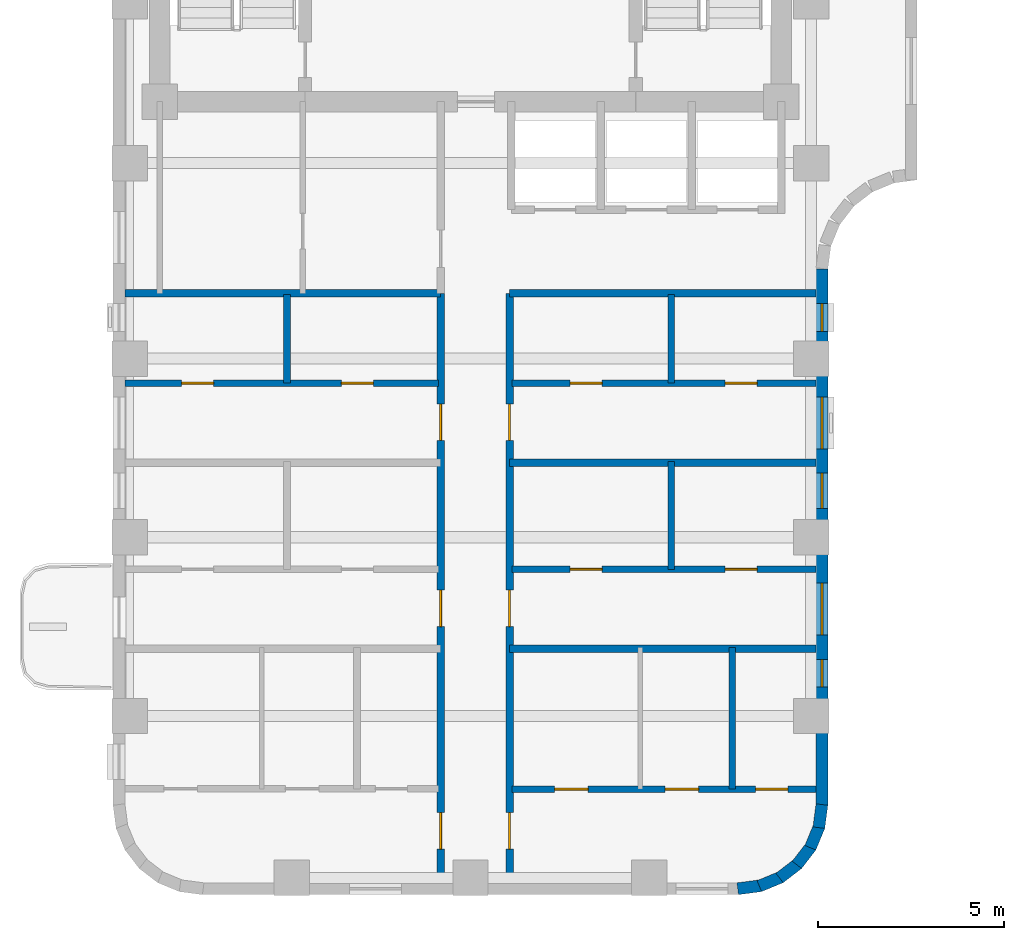
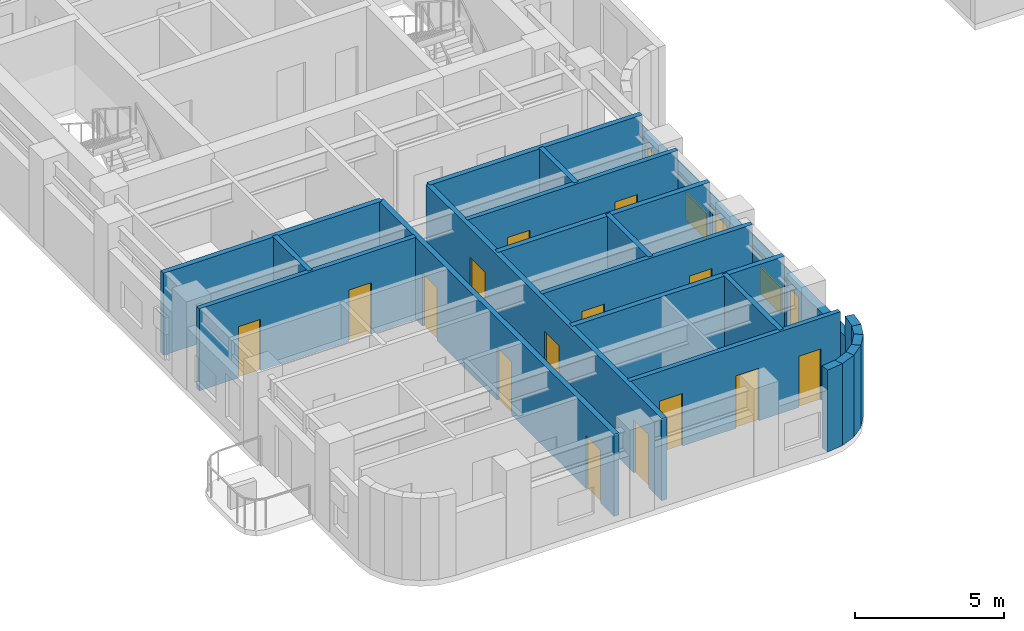
# One storey, part 4 of 11: 21 walls, 15 doors, 5 windows, 20 openings.
"""IFC4 building model written with IfcOpenShell, lengths in metres."""

from ifc_helpers import new_model, si_unit, direction, frame, frame_2d, origin, place, context, subcontext, project, spatial, rectangle, extrude, material, layer, layer_set, type_object, element, fill, save


model = new_model("IFC4")

# Units and contexts
model_context = context("Model", 3, precision=1e-05, world=origin(), true_north=direction((0.0, 1.0)))
body_context = subcontext(model_context, "Body", "Model", "MODEL_VIEW")
ifc_project = project(units=[si_unit("LENGTHUNIT", "METRE"), si_unit("AREAUNIT", "SQUARE_METRE"), si_unit("VOLUMEUNIT", "CUBIC_METRE"), si_unit("PLANEANGLEUNIT", "RADIAN"), si_unit("MASSUNIT", "GRAM", prefix="KILO")], contexts=[model_context])

# Site, building, storey
site_placement = place(None, origin())
site = spatial("IfcSite", under=ifc_project, at=site_placement, CompositionType="ELEMENT")
building_placement = place(site_placement, origin())
building = spatial("IfcBuilding", under=site, at=building_placement, Name="Orvandelia Arch Residences", CompositionType="ELEMENT")
storey_placement = place(building_placement, frame((0.0, 0.0, 168.39990234375)))
storey = spatial("IfcBuildingStorey", under=building, at=storey_placement, Name="L44", CompositionType="ELEMENT", Elevation=168.39990234375)

# Wall, openings, doors
ifc_material_1 = material(Name="Fire-Rated Corridor Partition")
ifc_layer_1 = layer(ifc_material_1, 0.199951171875, Name="Fire-Rated Corridor Partition")
ifc_layer_set_1 = layer_set([ifc_layer_1], Name="Fire-Rated Corridor Partition")
wall_type_1 = type_object("IfcWallType", Name="WL-CORR-200", PredefinedType="PARTITIONING", material=ifc_layer_set_1)
wall_1_placement = place(storey_placement, frame((13.60009765625, 9.919921875, 0.0), z_axis=(0.0, 0.0, 1.0), x_axis=(0.0, 1.0, 0.0)))
wall_1 = element("IfcWall", 1, at=wall_1_placement, inside=storey, type_object=wall_type_1, Name="Interior Partition Wall WL-L44-WC-W", PredefinedType="PARTITIONING", context=body_context, shape_type="SweptSolid", body=[
    extrude(rectangle(XDim=15.830078125, YDim=0.199951171875, at=frame_2d((7.9150390625, 0.0))), origin(), (0.0, 0.0, 1.0), 3.360107421875),
])
opening_1_placement = place(wall_1_placement, frame((0.902099609375, 0.0, 0.0)))
opening_1 = element("IfcOpeningElement", 2, at=opening_1_placement, cuts=wall_1, Name="Opening D1", PredefinedType="OPENING", context=body_context, shape_type="SweptSolid", body=[
    extrude(rectangle(XDim=0.97998046875, YDim=2.179931640625, at=frame_2d((0.489990234375, 1.08984375))), frame((0.0, 0.10986328125, 0.0), z_axis=(0.0, -1.0, 0.0), x_axis=(1.0, 0.0, 0.0)), (0.0, 0.0, 1.0), 0.219970703125),
])
opening_2_placement = place(wall_1_placement, frame((6.8798828125, 0.0, 0.0)))
opening_2 = element("IfcOpeningElement", 3, at=opening_2_placement, cuts=wall_1, Name="Opening D1", PredefinedType="OPENING", context=body_context, shape_type="SweptSolid", body=[
    extrude(rectangle(XDim=0.97998046875, YDim=2.179931640625, at=frame_2d((0.489990234375, 1.08984375))), frame((0.0, 0.10986328125, 0.0), z_axis=(0.0, -1.0, 0.0), x_axis=(1.0, 0.0, 0.0)), (0.0, 0.0, 1.0), 0.219970703125),
])
opening_3_placement = place(wall_1_placement, frame((11.8798828125, 0.0, 0.0)))
opening_3 = element("IfcOpeningElement", 4, at=opening_3_placement, cuts=wall_1, Name="Opening D1", PredefinedType="OPENING", context=body_context, shape_type="SweptSolid", body=[
    extrude(rectangle(XDim=0.97998046875, YDim=2.179931640625, at=frame_2d((0.489990234375, 1.08984375))), frame((0.0, 0.10986328125, 0.0), z_axis=(0.0, -1.0, 0.0), x_axis=(1.0, 0.0, 0.0)), (0.0, 0.0, 1.0), 0.219970703125),
])
ifc_material_2 = material(Name="Solid-Core Timber Acoustic Fire Door", Category="wood")
door_type_1 = type_object("IfcDoorType", Name="DR-ENT-980", OperationType="NOTDEFINED", PredefinedType="DOOR", material=ifc_material_2)
door_1_placement = place(opening_1_placement, origin())
door_1 = element("IfcDoor", 5, at=door_1_placement, inside=storey, type_object=door_type_1, Name="Unit L44-01 Entrance Door", OperationType="SINGLE_SWING_LEFT", OverallHeight=2.179931640625, OverallWidth=0.97998046875, PredefinedType="DOOR", context=body_context, shape_type="SweptSolid", body=[
    extrude(rectangle(XDim=0.97998046875, YDim=2.179931640625, at=frame_2d((0.489990234375, 1.08984375))), frame((0.0, 0.02490234375, 0.0), z_axis=(0.0, -1.0, 0.0), x_axis=(1.0, 0.0, 0.0)), (0.0, 0.0, 1.0), 0.050048828125),
])
fill(opening_1, door_1)
door_2_placement = place(opening_2_placement, origin())
door_2 = element("IfcDoor", 6, at=door_2_placement, inside=storey, type_object=door_type_1, Name="Unit L44-02 Entrance Door", OperationType="SINGLE_SWING_RIGHT", OverallHeight=2.179931640625, OverallWidth=0.97998046875, PredefinedType="DOOR", context=body_context, shape_type="SweptSolid", body=[
    extrude(rectangle(XDim=0.97998046875, YDim=2.179931640625, at=frame_2d((0.489990234375, 1.08984375))), frame((0.0, 0.02490234375, 0.0), z_axis=(0.0, -1.0, 0.0), x_axis=(1.0, 0.0, 0.0)), (0.0, 0.0, 1.0), 0.050048828125),
])
fill(opening_2, door_2)
door_3_placement = place(opening_3_placement, origin())
door_3 = element("IfcDoor", 7, at=door_3_placement, inside=storey, type_object=door_type_1, Name="Unit L44-03 Entrance Door", OperationType="SINGLE_SWING_LEFT", OverallHeight=2.179931640625, OverallWidth=0.97998046875, PredefinedType="DOOR", context=body_context, shape_type="SweptSolid", body=[
    extrude(rectangle(XDim=0.97998046875, YDim=2.179931640625, at=frame_2d((0.489990234375, 1.08984375))), frame((0.0, 0.02490234375, 0.0), z_axis=(0.0, -1.0, 0.0), x_axis=(1.0, 0.0, 0.0)), (0.0, 0.0, 1.0), 0.050048828125),
])
fill(opening_3, door_3)

wall_2_placement = place(storey_placement, frame((15.449951171875, 9.919921875, 0.0), z_axis=(0.0, 0.0, 1.0), x_axis=(0.0, 1.0, 0.0)))
wall_2 = element("IfcWall", 8, at=wall_2_placement, inside=storey, type_object=wall_type_1, Name="Interior Partition Wall WL-L44-WC-E", PredefinedType="PARTITIONING", context=body_context, shape_type="SweptSolid", body=[
    extrude(rectangle(XDim=15.830078125, YDim=0.199951171875, at=frame_2d((7.9150390625, 0.0))), origin(), (0.0, 0.0, 1.0), 3.360107421875),
])
opening_4_placement = place(wall_2_placement, frame((0.902099609375, 0.0, 0.0)))
opening_4 = element("IfcOpeningElement", 9, at=opening_4_placement, cuts=wall_2, Name="Opening D1", PredefinedType="OPENING", context=body_context, shape_type="SweptSolid", body=[
    extrude(rectangle(XDim=0.97998046875, YDim=2.179931640625, at=frame_2d((0.489990234375, 1.08984375))), frame((0.0, 0.10986328125, 0.0), z_axis=(0.0, -1.0, 0.0), x_axis=(1.0, 0.0, 0.0)), (0.0, 0.0, 1.0), 0.219970703125),
])
opening_5_placement = place(wall_2_placement, frame((6.8798828125, 0.0, 0.0)))
opening_5 = element("IfcOpeningElement", 10, at=opening_5_placement, cuts=wall_2, Name="Opening D1", PredefinedType="OPENING", context=body_context, shape_type="SweptSolid", body=[
    extrude(rectangle(XDim=0.97998046875, YDim=2.179931640625, at=frame_2d((0.489990234375, 1.08984375))), frame((0.0, 0.10986328125, 0.0), z_axis=(0.0, -1.0, 0.0), x_axis=(1.0, 0.0, 0.0)), (0.0, 0.0, 1.0), 0.219970703125),
])
opening_6_placement = place(wall_2_placement, frame((11.8798828125, 0.0, 0.0)))
opening_6 = element("IfcOpeningElement", 11, at=opening_6_placement, cuts=wall_2, Name="Opening D1", PredefinedType="OPENING", context=body_context, shape_type="SweptSolid", body=[
    extrude(rectangle(XDim=0.97998046875, YDim=2.179931640625, at=frame_2d((0.489990234375, 1.08984375))), frame((0.0, 0.10986328125, 0.0), z_axis=(0.0, -1.0, 0.0), x_axis=(1.0, 0.0, 0.0)), (0.0, 0.0, 1.0), 0.219970703125),
])
door_4_placement = place(opening_4_placement, origin())
door_4 = element("IfcDoor", 12, at=door_4_placement, inside=storey, type_object=door_type_1, Name="Unit L44-04 Entrance Door", OperationType="SINGLE_SWING_RIGHT", OverallHeight=2.179931640625, OverallWidth=0.97998046875, PredefinedType="DOOR", context=body_context, shape_type="SweptSolid", body=[
    extrude(rectangle(XDim=0.97998046875, YDim=2.179931640625, at=frame_2d((0.489990234375, 1.08984375))), frame((0.0, 0.02490234375, 0.0), z_axis=(0.0, -1.0, 0.0), x_axis=(1.0, 0.0, 0.0)), (0.0, 0.0, 1.0), 0.050048828125),
])
fill(opening_4, door_4)
door_5_placement = place(opening_5_placement, origin())
door_5 = element("IfcDoor", 13, at=door_5_placement, inside=storey, type_object=door_type_1, Name="Unit L44-05 Entrance Door", OperationType="SINGLE_SWING_LEFT", OverallHeight=2.179931640625, OverallWidth=0.97998046875, PredefinedType="DOOR", context=body_context, shape_type="SweptSolid", body=[
    extrude(rectangle(XDim=0.97998046875, YDim=2.179931640625, at=frame_2d((0.489990234375, 1.08984375))), frame((0.0, 0.02490234375, 0.0), z_axis=(0.0, -1.0, 0.0), x_axis=(1.0, 0.0, 0.0)), (0.0, 0.0, 1.0), 0.050048828125),
])
fill(opening_5, door_5)
door_6_placement = place(opening_6_placement, origin())
door_6 = element("IfcDoor", 14, at=door_6_placement, inside=storey, type_object=door_type_1, Name="Unit L44-06 Entrance Door", OperationType="SINGLE_SWING_RIGHT", OverallHeight=2.179931640625, OverallWidth=0.97998046875, PredefinedType="DOOR", context=body_context, shape_type="SweptSolid", body=[
    extrude(rectangle(XDim=0.97998046875, YDim=2.179931640625, at=frame_2d((0.489990234375, 1.08984375))), frame((0.0, 0.02490234375, 0.0), z_axis=(0.0, -1.0, 0.0), x_axis=(1.0, 0.0, 0.0)), (0.0, 0.0, 1.0), 0.050048828125),
])
fill(opening_6, door_6)

# Walls
wall_3_placement = place(storey_placement, frame((5.1201171875, 25.75, 0.0), z_axis=(0.0, 0.0, 1.0), x_axis=(1.0, 0.0, 0.0)))
element("IfcWall", 15, at=wall_3_placement, inside=storey, type_object=wall_type_1, Name="Interior Partition Wall WL-L44-WCLS-W", PredefinedType="PARTITIONING", context=body_context, shape_type="SweptSolid", body=[
    extrude(rectangle(XDim=8.47998046875, YDim=0.199951171875, at=frame_2d((4.239990234375, 0.0))), origin(), (0.0, 0.0, 1.0), 3.360107421875),
])
wall_4_placement = place(storey_placement, frame((15.449951171875, 25.75, 0.0), z_axis=(0.0, 0.0, 1.0), x_axis=(1.0, 0.0, 0.0)))
element("IfcWall", 16, at=wall_4_placement, inside=storey, type_object=wall_type_1, Name="Interior Partition Wall WL-L44-WCLS-E", PredefinedType="PARTITIONING", context=body_context, shape_type="SweptSolid", body=[
    extrude(rectangle(XDim=8.22998046875, YDim=0.199951171875, at=frame_2d((4.114990234375, 0.0))), origin(), (0.0, 0.0, 1.0), 3.360107421875),
])
ifc_material_3 = material(Name="Concrete C40/50", Category="concrete")
ifc_layer_2 = layer(ifc_material_3, 0.199951171875, Name="Concrete C40/50", Category="concrete")
ifc_layer_set_2 = layer_set([ifc_layer_2], Name="Concrete C40/50")
wall_type_2 = type_object("IfcWallType", Name="WL-DEM-200", PredefinedType="SOLIDWALL", material=ifc_layer_set_2)
for number, where, z_axis, x_axis, name in (
    (17, (15.449951171875, 16.199951171875, 0.0), (0.0, 0.0, 1.0), (1.0, 0.0, 0.0), "Interior Partition Wall WL-L44-DEM-WR-162"),
    (18, (15.449951171875, 21.199951171875, 0.0), (0.0, 0.0, 1.0), (1.0, 0.0, 0.0), "Interior Partition Wall WL-L44-DEM-WR-212"),
):
    element("IfcWall", number, at=place(storey_placement, frame(where, z_axis=z_axis, x_axis=x_axis)), inside=storey, type_object=wall_type_2, Name=name, PredefinedType="SOLIDWALL", context=body_context, shape_type="SweptSolid", body=[
        extrude(rectangle(XDim=8.22998046875, YDim=0.199951171875, at=frame_2d((4.114990234375, 0.0))), origin(), (0.0, 0.0, 1.0), 3.360107421875),
    ])

# Wall, openings, windows
ifc_material_4 = material(Name="Precast concrete C40/50", Category="concrete")
ifc_layer_3 = layer(ifc_material_4, 0.320068359375, Name="Precast concrete C40/50", Category="concrete")
ifc_layer_set_3 = layer_set([ifc_layer_3], Name="Precast concrete C40/50")
wall_type_3 = type_object("IfcWallType", Name="WL-EXT-STONE-320", PredefinedType="STANDARD", material=ifc_layer_set_3)
wall_5_placement = place(storey_placement, frame((23.840087890625, 26.39990234375, 0.0), z_axis=(0.0, 0.0, 1.0), x_axis=(0.0, -1.0, 0.0)))
wall_5 = element("IfcWall", 19, at=wall_5_placement, inside=storey, type_object=wall_type_3, Name="Coral-Limestone Precast Facade Wall L44-032", PredefinedType="STANDARD", context=body_context, shape_type="SweptSolid", body=[
    extrude(rectangle(XDim=14.39990234375, YDim=0.320068359375, at=frame_2d((7.199951171875, 0.0))), origin(), (0.0, 0.0, 1.0), 2.5400390625),
])
opening_7_placement = place(wall_5_placement, frame((8.429931640625, 0.0, 0.64990234375)))
opening_7 = element("IfcOpeningElement", 20, at=opening_7_placement, cuts=wall_5, Name="Opening W10", PredefinedType="OPENING", context=body_context, shape_type="SweptSolid", body=[
    extrude(rectangle(XDim=1.39990234375, YDim=1.10009765625, at=frame_2d((0.699951171875, 0.550048828125))), frame((0.0, 0.169921875, 0.0), z_axis=(0.0, -1.0, 0.0), x_axis=(1.0, 0.0, 0.0)), (0.0, 0.0, 1.0), 0.340087890625),
])
opening_8_placement = place(wall_5_placement, frame((3.429931640625, 0.0, 0.64990234375)))
opening_8 = element("IfcOpeningElement", 21, at=opening_8_placement, cuts=wall_5, Name="Opening W10", PredefinedType="OPENING", context=body_context, shape_type="SweptSolid", body=[
    extrude(rectangle(XDim=1.39990234375, YDim=1.10009765625, at=frame_2d((0.699951171875, 0.550048828125))), frame((0.0, 0.169921875, 0.0), z_axis=(0.0, -1.0, 0.0), x_axis=(1.0, 0.0, 0.0)), (0.0, 0.0, 1.0), 0.340087890625),
])
opening_9_placement = place(wall_5_placement, frame((10.4775390625, 0.0, 0.449951171875)))
opening_9 = element("IfcOpeningElement", 22, at=opening_9_placement, cuts=wall_5, Name="Opening W11", PredefinedType="OPENING", context=body_context, shape_type="SweptSolid", body=[
    extrude(rectangle(XDim=0.75, YDim=1.800048828125, at=frame_2d((0.375, 0.89990234375))), frame((0.0, 0.169921875, 0.0), z_axis=(0.0, -1.0, 0.0), x_axis=(1.0, 0.0, 0.0)), (0.0, 0.0, 1.0), 0.340087890625),
])
opening_10_placement = place(wall_5_placement, frame((5.4775390625, 0.0, 0.449951171875)))
opening_10 = element("IfcOpeningElement", 23, at=opening_10_placement, cuts=wall_5, Name="Opening W4", PredefinedType="OPENING", context=body_context, shape_type="SweptSolid", body=[
    extrude(rectangle(XDim=0.949951171875, YDim=1.800048828125, at=frame_2d((0.47509765625, 0.89990234375))), frame((0.0, 0.169921875, 0.0), z_axis=(0.0, -1.0, 0.0), x_axis=(1.0, 0.0, 0.0)), (0.0, 0.0, 1.0), 0.340087890625),
])
opening_11_placement = place(wall_5_placement, frame((0.91748046875, 0.0, 0.449951171875)))
opening_11 = element("IfcOpeningElement", 24, at=opening_11_placement, cuts=wall_5, Name="Opening W11", PredefinedType="OPENING", context=body_context, shape_type="SweptSolid", body=[
    extrude(rectangle(XDim=0.75, YDim=1.800048828125, at=frame_2d((0.375, 0.89990234375))), frame((0.0, 0.169921875, 0.0), z_axis=(0.0, -1.0, 0.0), x_axis=(1.0, 0.0, 0.0)), (0.0, 0.0, 1.0), 0.340087890625),
])
ifc_material_5 = material(Name="Tempered Low-E Insulated Glazing", Category="glass")
window_type_1 = type_object("IfcWindowType", Name="WIN-BED-0750x1800", PartitioningType="SINGLE_PANEL", PredefinedType="WINDOW", material=ifc_material_5)
window_1_placement = place(opening_9_placement, origin())
window_1 = element("IfcWindow", 25, at=window_1_placement, inside=storey, type_object=window_type_1, Name="Recessed Punched Window L44-019", OverallHeight=1.800048828125, OverallWidth=0.75, PartitioningType="SINGLE_PANEL", PredefinedType="WINDOW", context=body_context, shape_type="SweptSolid", body=[
    extrude(rectangle(XDim=0.75, YDim=1.800048828125, at=frame_2d((0.375, 0.89990234375))), frame((0.0, 0.030029296875, 0.0), z_axis=(0.0, -1.0, 0.0), x_axis=(1.0, 0.0, 0.0)), (0.0, 0.0, 1.0), 0.06005859375),
])
fill(opening_9, window_1)
window_2_placement = place(opening_11_placement, origin())
window_2 = element("IfcWindow", 26, at=window_2_placement, inside=storey, type_object=window_type_1, Name="Recessed Punched Window L44-021", OverallHeight=1.800048828125, OverallWidth=0.75, PartitioningType="SINGLE_PANEL", PredefinedType="WINDOW", context=body_context, shape_type="SweptSolid", body=[
    extrude(rectangle(XDim=0.75, YDim=1.800048828125, at=frame_2d((0.375, 0.89990234375))), frame((0.0, 0.030029296875, 0.0), z_axis=(0.0, -1.0, 0.0), x_axis=(1.0, 0.0, 0.0)), (0.0, 0.0, 1.0), 0.06005859375),
])
fill(opening_11, window_2)
window_type_2 = type_object("IfcWindowType", Name="WIN-CLR-1400x1100", PartitioningType="SINGLE_PANEL", PredefinedType="WINDOW", material=ifc_material_5)
window_3_placement = place(opening_7_placement, origin())
window_3 = element("IfcWindow", 27, at=window_3_placement, inside=storey, type_object=window_type_2, Name="Recessed Punched Window L44-017", OverallHeight=1.10009765625, OverallWidth=1.39990234375, PartitioningType="SINGLE_PANEL", PredefinedType="WINDOW", context=body_context, shape_type="SweptSolid", body=[
    extrude(rectangle(XDim=1.39990234375, YDim=1.10009765625, at=frame_2d((0.699951171875, 0.550048828125))), frame((0.0, 0.030029296875, 0.0), z_axis=(0.0, -1.0, 0.0), x_axis=(1.0, 0.0, 0.0)), (0.0, 0.0, 1.0), 0.06005859375),
])
fill(opening_7, window_3)
window_4_placement = place(opening_8_placement, origin())
window_4 = element("IfcWindow", 28, at=window_4_placement, inside=storey, type_object=window_type_2, Name="Recessed Punched Window L44-018", OverallHeight=1.10009765625, OverallWidth=1.39990234375, PartitioningType="SINGLE_PANEL", PredefinedType="WINDOW", context=body_context, shape_type="SweptSolid", body=[
    extrude(rectangle(XDim=1.39990234375, YDim=1.10009765625, at=frame_2d((0.699951171875, 0.550048828125))), frame((0.0, 0.030029296875, 0.0), z_axis=(0.0, -1.0, 0.0), x_axis=(1.0, 0.0, 0.0)), (0.0, 0.0, 1.0), 0.06005859375),
])
fill(opening_8, window_4)
window_type_3 = type_object("IfcWindowType", Name="WIN-RES-0950x1800", PartitioningType="SINGLE_PANEL", PredefinedType="WINDOW", material=ifc_material_5)
window_5_placement = place(opening_10_placement, origin())
window_5 = element("IfcWindow", 29, at=window_5_placement, inside=storey, type_object=window_type_3, Name="Recessed Punched Window L44-020", OverallHeight=1.800048828125, OverallWidth=0.949951171875, PartitioningType="SINGLE_PANEL", PredefinedType="WINDOW", context=body_context, shape_type="SweptSolid", body=[
    extrude(rectangle(XDim=0.949951171875, YDim=1.800048828125, at=frame_2d((0.47509765625, 0.89990234375))), frame((0.0, 0.030029296875, 0.0), z_axis=(0.0, -1.0, 0.0), x_axis=(1.0, 0.0, 0.0)), (0.0, 0.0, 1.0), 0.06005859375),
])
fill(opening_10, window_5)

# Walls
wall_6_placement = place(storey_placement, frame((23.84130859375, 12.02099609375, 0.0), z_axis=(0.0, 0.0, 1.0), x_axis=(-0.130504898859, -0.991447664465, 0.0)))
element("IfcWall", 30, at=wall_6_placement, inside=storey, type_object=wall_type_3, Name="Coral-Limestone Precast Facade Wall L44-033", PredefinedType="STANDARD", context=body_context, shape_type="SweptSolid", body=[
    extrude(rectangle(XDim=0.626708984375, YDim=0.320068359375, at=frame_2d((0.3134765625, 0.0))), origin(), (0.0, 0.0, 1.0), 3.360107421875),
])
for number, where, z_axis, x_axis, name in (
    (31, (23.7705078125, 11.43994140625, 0.0), (0.0, 0.0, 1.0), (-0.382650053678, -0.92389335771, 0.0), "Coral-Limestone Precast Facade Wall L44-034"),
    (32, (23.551513671875, 10.8974609375, 0.0), (0.0, 0.0, 1.0), (-0.608693302629, -0.793405610854, 0.0), "Coral-Limestone Precast Facade Wall L44-035"),
    (33, (23.19970703125, 10.4296875, 0.0), (0.0, 0.0, 1.0), (-0.793405610854, -0.608693302629, 0.0), "Coral-Limestone Precast Facade Wall L44-036"),
    (34, (22.73876953125, 10.0693359375, 0.0), (0.0, 0.0, 1.0), (-0.92389335771, -0.382650053678, 0.0), "Coral-Limestone Precast Facade Wall L44-037"),
    (35, (22.2001953125, 9.84033203125, 0.0), (0.0, 0.0, 1.0), (-0.9914410257, -0.130555323746, 0.0), "Coral-Limestone Precast Facade Wall L44-038"),
):
    element("IfcWall", number, at=place(storey_placement, frame(where, z_axis=z_axis, x_axis=x_axis)), inside=storey, type_object=wall_type_3, Name=name, PredefinedType="STANDARD", context=body_context, shape_type="SweptSolid", body=[
        extrude(rectangle(XDim=0.62646484375, YDim=0.320068359375, at=frame_2d((0.313232421875, 0.0))), origin(), (0.0, 0.0, 1.0), 3.360107421875),
    ])

# Wall, openings, doors
ifc_material_6 = material(Name="Moisture-Resistant Plumbing Wall")
ifc_layer_4 = layer(ifc_material_6, 0.179931640625, Name="Moisture-Resistant Plumbing Wall")
ifc_layer_set_4 = layer_set([ifc_layer_4], Name="Moisture-Resistant Plumbing Wall")
wall_type_4 = type_object("IfcWallType", Name="WL-WET-180", PredefinedType="PLUMBINGWALL", material=ifc_layer_set_4)
wall_7_placement = place(storey_placement, frame((5.1201171875, 23.340087890625, 0.0), z_axis=(0.0, 0.0, 1.0), x_axis=(1.0, 0.0, 0.0)))
wall_7 = element("IfcWall", 36, at=wall_7_placement, inside=storey, type_object=wall_type_4, Name="Interior Partition Wall WL-L44-U03-HZ", PredefinedType="PLUMBINGWALL", context=body_context, shape_type="SweptSolid", body=[
    extrude(rectangle(XDim=8.419921875, YDim=0.179931640625, at=frame_2d((4.2099609375, 0.0))), origin(), (0.0, 0.0, 1.0), 3.360107421875),
])
opening_12_placement = place(wall_7_placement, frame((1.52001953125, 0.0, 0.0)))
opening_12 = element("IfcOpeningElement", 37, at=opening_12_placement, cuts=wall_7, Name="Opening D4", PredefinedType="OPENING", context=body_context, shape_type="SweptSolid", body=[
    extrude(rectangle(XDim=0.860107421875, YDim=2.10009765625, at=frame_2d((0.43017578125, 1.050048828125))), frame((0.0, 0.10009765625, 0.0), z_axis=(0.0, -1.0, 0.0), x_axis=(1.0, 0.0, 0.0)), (0.0, 0.0, 1.0), 0.199951171875),
])
opening_13_placement = place(wall_7_placement, frame((5.81005859375, 0.0, 0.0)))
opening_13 = element("IfcOpeningElement", 38, at=opening_13_placement, cuts=wall_7, Name="Opening D4", PredefinedType="OPENING", context=body_context, shape_type="SweptSolid", body=[
    extrude(rectangle(XDim=0.860107421875, YDim=2.10009765625, at=frame_2d((0.43017578125, 1.050048828125))), frame((0.0, 0.10009765625, 0.0), z_axis=(0.0, -1.0, 0.0), x_axis=(1.0, 0.0, 0.0)), (0.0, 0.0, 1.0), 0.199951171875),
])
ifc_material_7 = material(Name="Moisture-Sealed Timber Bathroom Door", Category="wood")
door_type_2 = type_object("IfcDoorType", Name="DR-WET-900", OperationType="NOTDEFINED", PredefinedType="DOOR", material=ifc_material_7)
door_7_placement = place(opening_12_placement, origin())
door_7 = element("IfcDoor", 39, at=door_7_placement, inside=storey, type_object=door_type_2, Name="DR-L44-U03-KIT", OperationType="SINGLE_SWING_LEFT", OverallHeight=2.10009765625, OverallWidth=0.860107421875, PredefinedType="DOOR", context=body_context, shape_type="SweptSolid", body=[
    extrude(rectangle(XDim=0.860107421875, YDim=2.10009765625, at=frame_2d((0.43017578125, 1.050048828125))), frame((0.0, 0.02490234375, 0.0), z_axis=(0.0, -1.0, 0.0), x_axis=(1.0, 0.0, 0.0)), (0.0, 0.0, 1.0), 0.050048828125),
])
fill(opening_12, door_7)
door_8_placement = place(opening_13_placement, origin())
door_8 = element("IfcDoor", 40, at=door_8_placement, inside=storey, type_object=door_type_2, Name="DR-L44-U03-BTH", OperationType="SINGLE_SWING_RIGHT", OverallHeight=2.10009765625, OverallWidth=0.860107421875, PredefinedType="DOOR", context=body_context, shape_type="SweptSolid", body=[
    extrude(rectangle(XDim=0.860107421875, YDim=2.10009765625, at=frame_2d((0.43017578125, 1.050048828125))), frame((0.0, 0.02490234375, 0.0), z_axis=(0.0, -1.0, 0.0), x_axis=(1.0, 0.0, 0.0)), (0.0, 0.0, 1.0), 0.050048828125),
])
fill(opening_13, door_8)

# Wall
wall_8_placement = place(storey_placement, frame((9.469970703125, 23.340087890625, 0.0), z_axis=(0.0, 0.0, 1.0), x_axis=(0.0, 1.0, 0.0)))
element("IfcWall", 41, at=wall_8_placement, inside=storey, type_object=wall_type_4, Name="Interior Partition Wall WL-L44-U03-V1", PredefinedType="PLUMBINGWALL", context=body_context, shape_type="SweptSolid", body=[
    extrude(rectangle(XDim=2.3798828125, YDim=0.179931640625, at=frame_2d((1.18994140625, 0.0))), origin(), (0.0, 0.0, 1.0), 3.360107421875),
])

# Wall, openings, doors
wall_9_placement = place(storey_placement, frame((15.510009765625, 12.43408203125, 0.0), z_axis=(0.0, 0.0, 1.0), x_axis=(1.0, 0.0, 0.0)))
wall_9 = element("IfcWall", 42, at=wall_9_placement, inside=storey, type_object=wall_type_4, Name="Interior Partition Wall WL-L44-U04-HZ", PredefinedType="PLUMBINGWALL", context=body_context, shape_type="SweptSolid", body=[
    extrude(rectangle(XDim=8.169921875, YDim=0.179931640625, at=frame_2d((4.0849609375, 0.0))), origin(), (0.0, 0.0, 1.0), 3.360107421875),
])
opening_14_placement = place(wall_9_placement, frame((1.153564453125, 0.0, 0.0)))
opening_14 = element("IfcOpeningElement", 43, at=opening_14_placement, cuts=wall_9, Name="Opening D3", PredefinedType="OPENING", context=body_context, shape_type="SweptSolid", body=[
    extrude(rectangle(XDim=0.89990234375, YDim=2.14990234375, at=frame_2d((0.449951171875, 1.074951171875))), frame((0.0, 0.10009765625, 0.0), z_axis=(0.0, -1.0, 0.0), x_axis=(1.0, 0.0, 0.0)), (0.0, 0.0, 1.0), 0.199951171875),
])
opening_15_placement = place(wall_9_placement, frame((4.116455078125, 0.0, 0.0)))
opening_15 = element("IfcOpeningElement", 44, at=opening_15_placement, cuts=wall_9, Name="Opening D3", PredefinedType="OPENING", context=body_context, shape_type="SweptSolid", body=[
    extrude(rectangle(XDim=0.89990234375, YDim=2.14990234375, at=frame_2d((0.449951171875, 1.074951171875))), frame((0.0, 0.10009765625, 0.0), z_axis=(0.0, -1.0, 0.0), x_axis=(1.0, 0.0, 0.0)), (0.0, 0.0, 1.0), 0.199951171875),
])
opening_16_placement = place(wall_9_placement, frame((6.552978515625, 0.0, 0.0)))
opening_16 = element("IfcOpeningElement", 45, at=opening_16_placement, cuts=wall_9, Name="Opening D4", PredefinedType="OPENING", context=body_context, shape_type="SweptSolid", body=[
    extrude(rectangle(XDim=0.860107421875, YDim=2.10009765625, at=frame_2d((0.43017578125, 1.050048828125))), frame((0.0, 0.10009765625, 0.0), z_axis=(0.0, -1.0, 0.0), x_axis=(1.0, 0.0, 0.0)), (0.0, 0.0, 1.0), 0.199951171875),
])
ifc_material_8 = material(Name="Engineered Timber Flush Door", Category="wood")
door_type_3 = type_object("IfcDoorType", Name="DR-INT-900", OperationType="NOTDEFINED", PredefinedType="DOOR", material=ifc_material_8)
door_9_placement = place(opening_14_placement, origin())
door_9 = element("IfcDoor", 46, at=door_9_placement, inside=storey, type_object=door_type_3, Name="DR-L44-U04-STDY", OperationType="SINGLE_SWING_RIGHT", OverallHeight=2.14990234375, OverallWidth=0.89990234375, PredefinedType="DOOR", context=body_context, shape_type="SweptSolid", body=[
    extrude(rectangle(XDim=0.89990234375, YDim=2.14990234375, at=frame_2d((0.449951171875, 1.074951171875))), frame((0.0, 0.02490234375, 0.0), z_axis=(0.0, -1.0, 0.0), x_axis=(1.0, 0.0, 0.0)), (0.0, 0.0, 1.0), 0.050048828125),
])
fill(opening_14, door_9)
door_10_placement = place(opening_15_placement, origin())
door_10 = element("IfcDoor", 47, at=door_10_placement, inside=storey, type_object=door_type_3, Name="DR-L44-U04-KIT", OperationType="SINGLE_SWING_LEFT", OverallHeight=2.14990234375, OverallWidth=0.89990234375, PredefinedType="DOOR", context=body_context, shape_type="SweptSolid", body=[
    extrude(rectangle(XDim=0.89990234375, YDim=2.14990234375, at=frame_2d((0.449951171875, 1.074951171875))), frame((0.0, 0.02490234375, 0.0), z_axis=(0.0, -1.0, 0.0), x_axis=(1.0, 0.0, 0.0)), (0.0, 0.0, 1.0), 0.050048828125),
])
fill(opening_15, door_10)
door_11_placement = place(opening_16_placement, origin())
door_11 = element("IfcDoor", 48, at=door_11_placement, inside=storey, type_object=door_type_2, Name="DR-L44-U04-BTH", OperationType="SINGLE_SWING_RIGHT", OverallHeight=2.10009765625, OverallWidth=0.860107421875, PredefinedType="DOOR", context=body_context, shape_type="SweptSolid", body=[
    extrude(rectangle(XDim=0.860107421875, YDim=2.10009765625, at=frame_2d((0.43017578125, 1.050048828125))), frame((0.0, 0.02490234375, 0.0), z_axis=(0.0, -1.0, 0.0), x_axis=(1.0, 0.0, 0.0)), (0.0, 0.0, 1.0), 0.050048828125),
])
fill(opening_16, door_11)

# Wall
wall_10_placement = place(storey_placement, frame((21.43603515625, 12.43408203125, 0.0), z_axis=(0.0, 0.0, 1.0), x_axis=(0.0, 1.0, 0.0)))
element("IfcWall", 49, at=wall_10_placement, inside=storey, type_object=wall_type_4, Name="Interior Partition Wall WL-L44-U04-V2", PredefinedType="PLUMBINGWALL", context=body_context, shape_type="SweptSolid", body=[
    extrude(rectangle(XDim=3.805908203125, YDim=0.179931640625, at=frame_2d((1.90283203125, 0.0))), origin(), (0.0, 0.0, 1.0), 3.360107421875),
])

# Wall, openings, doors
wall_11_placement = place(storey_placement, frame((15.510009765625, 18.340087890625, 0.0), z_axis=(0.0, 0.0, 1.0), x_axis=(1.0, 0.0, 0.0)))
wall_11 = element("IfcWall", 50, at=wall_11_placement, inside=storey, type_object=wall_type_4, Name="Interior Partition Wall WL-L44-U05-HZ", PredefinedType="PLUMBINGWALL", context=body_context, shape_type="SweptSolid", body=[
    extrude(rectangle(XDim=8.169921875, YDim=0.179931640625, at=frame_2d((4.0849609375, 0.0))), origin(), (0.0, 0.0, 1.0), 3.360107421875),
])
opening_17_placement = place(wall_11_placement, frame((1.56494140625, 0.0, 0.0)))
opening_17 = element("IfcOpeningElement", 51, at=opening_17_placement, cuts=wall_11, Name="Opening D4", PredefinedType="OPENING", context=body_context, shape_type="SweptSolid", body=[
    extrude(rectangle(XDim=0.860107421875, YDim=2.10009765625, at=frame_2d((0.43017578125, 1.050048828125))), frame((0.0, 0.10009765625, 0.0), z_axis=(0.0, -1.0, 0.0), x_axis=(1.0, 0.0, 0.0)), (0.0, 0.0, 1.0), 0.199951171875),
])
opening_18_placement = place(wall_11_placement, frame((5.72998046875, 0.0, 0.0)))
opening_18 = element("IfcOpeningElement", 52, at=opening_18_placement, cuts=wall_11, Name="Opening D4", PredefinedType="OPENING", context=body_context, shape_type="SweptSolid", body=[
    extrude(rectangle(XDim=0.860107421875, YDim=2.10009765625, at=frame_2d((0.43017578125, 1.050048828125))), frame((0.0, 0.10009765625, 0.0), z_axis=(0.0, -1.0, 0.0), x_axis=(1.0, 0.0, 0.0)), (0.0, 0.0, 1.0), 0.199951171875),
])
door_12_placement = place(opening_17_placement, origin())
door_12 = element("IfcDoor", 53, at=door_12_placement, inside=storey, type_object=door_type_2, Name="DR-L44-U05-KIT", OperationType="SINGLE_SWING_LEFT", OverallHeight=2.10009765625, OverallWidth=0.860107421875, PredefinedType="DOOR", context=body_context, shape_type="SweptSolid", body=[
    extrude(rectangle(XDim=0.860107421875, YDim=2.10009765625, at=frame_2d((0.43017578125, 1.050048828125))), frame((0.0, 0.02490234375, 0.0), z_axis=(0.0, -1.0, 0.0), x_axis=(1.0, 0.0, 0.0)), (0.0, 0.0, 1.0), 0.050048828125),
])
fill(opening_17, door_12)
door_13_placement = place(opening_18_placement, origin())
door_13 = element("IfcDoor", 54, at=door_13_placement, inside=storey, type_object=door_type_2, Name="DR-L44-U05-BTH", OperationType="SINGLE_SWING_RIGHT", OverallHeight=2.10009765625, OverallWidth=0.860107421875, PredefinedType="DOOR", context=body_context, shape_type="SweptSolid", body=[
    extrude(rectangle(XDim=0.860107421875, YDim=2.10009765625, at=frame_2d((0.43017578125, 1.050048828125))), frame((0.0, 0.02490234375, 0.0), z_axis=(0.0, -1.0, 0.0), x_axis=(1.0, 0.0, 0.0)), (0.0, 0.0, 1.0), 0.050048828125),
])
fill(opening_18, door_13)

# Wall
wall_12_placement = place(storey_placement, frame((19.7900390625, 18.340087890625, 0.0), z_axis=(0.0, 0.0, 1.0), x_axis=(0.0, 1.0, 0.0)))
element("IfcWall", 55, at=wall_12_placement, inside=storey, type_object=wall_type_4, Name="Interior Partition Wall WL-L44-U05-V1", PredefinedType="PLUMBINGWALL", context=body_context, shape_type="SweptSolid", body=[
    extrude(rectangle(XDim=2.89990234375, YDim=0.179931640625, at=frame_2d((1.449951171875, 0.0))), origin(), (0.0, 0.0, 1.0), 3.360107421875),
])

# Wall, openings, doors
wall_13_placement = place(storey_placement, frame((15.510009765625, 23.340087890625, 0.0), z_axis=(0.0, 0.0, 1.0), x_axis=(1.0, 0.0, 0.0)))
wall_13 = element("IfcWall", 56, at=wall_13_placement, inside=storey, type_object=wall_type_4, Name="Interior Partition Wall WL-L44-U06-HZ", PredefinedType="PLUMBINGWALL", context=body_context, shape_type="SweptSolid", body=[
    extrude(rectangle(XDim=8.169921875, YDim=0.179931640625, at=frame_2d((4.0849609375, 0.0))), origin(), (0.0, 0.0, 1.0), 3.360107421875),
])
opening_19_placement = place(wall_13_placement, frame((1.56494140625, 0.0, 0.0)))
opening_19 = element("IfcOpeningElement", 57, at=opening_19_placement, cuts=wall_13, Name="Opening D4", PredefinedType="OPENING", context=body_context, shape_type="SweptSolid", body=[
    extrude(rectangle(XDim=0.860107421875, YDim=2.10009765625, at=frame_2d((0.43017578125, 1.050048828125))), frame((0.0, 0.10009765625, 0.0), z_axis=(0.0, -1.0, 0.0), x_axis=(1.0, 0.0, 0.0)), (0.0, 0.0, 1.0), 0.199951171875),
])
opening_20_placement = place(wall_13_placement, frame((5.72998046875, 0.0, 0.0)))
opening_20 = element("IfcOpeningElement", 58, at=opening_20_placement, cuts=wall_13, Name="Opening D4", PredefinedType="OPENING", context=body_context, shape_type="SweptSolid", body=[
    extrude(rectangle(XDim=0.860107421875, YDim=2.10009765625, at=frame_2d((0.43017578125, 1.050048828125))), frame((0.0, 0.10009765625, 0.0), z_axis=(0.0, -1.0, 0.0), x_axis=(1.0, 0.0, 0.0)), (0.0, 0.0, 1.0), 0.199951171875),
])
door_14_placement = place(opening_19_placement, origin())
door_14 = element("IfcDoor", 59, at=door_14_placement, inside=storey, type_object=door_type_2, Name="DR-L44-U06-KIT", OperationType="SINGLE_SWING_RIGHT", OverallHeight=2.10009765625, OverallWidth=0.860107421875, PredefinedType="DOOR", context=body_context, shape_type="SweptSolid", body=[
    extrude(rectangle(XDim=0.860107421875, YDim=2.10009765625, at=frame_2d((0.43017578125, 1.050048828125))), frame((0.0, 0.02490234375, 0.0), z_axis=(0.0, -1.0, 0.0), x_axis=(1.0, 0.0, 0.0)), (0.0, 0.0, 1.0), 0.050048828125),
])
fill(opening_19, door_14)
door_15_placement = place(opening_20_placement, origin())
door_15 = element("IfcDoor", 60, at=door_15_placement, inside=storey, type_object=door_type_2, Name="DR-L44-U06-BTH", OperationType="SINGLE_SWING_LEFT", OverallHeight=2.10009765625, OverallWidth=0.860107421875, PredefinedType="DOOR", context=body_context, shape_type="SweptSolid", body=[
    extrude(rectangle(XDim=0.860107421875, YDim=2.10009765625, at=frame_2d((0.43017578125, 1.050048828125))), frame((0.0, 0.02490234375, 0.0), z_axis=(0.0, -1.0, 0.0), x_axis=(1.0, 0.0, 0.0)), (0.0, 0.0, 1.0), 0.050048828125),
])
fill(opening_20, door_15)

# Wall
wall_14_placement = place(storey_placement, frame((19.7900390625, 23.340087890625, 0.0), z_axis=(0.0, 0.0, 1.0), x_axis=(0.0, 1.0, 0.0)))
element("IfcWall", 61, at=wall_14_placement, inside=storey, type_object=wall_type_4, Name="Interior Partition Wall WL-L44-U06-V1", PredefinedType="PLUMBINGWALL", context=body_context, shape_type="SweptSolid", body=[
    extrude(rectangle(XDim=2.3798828125, YDim=0.179931640625, at=frame_2d((1.18994140625, 0.0))), origin(), (0.0, 0.0, 1.0), 3.360107421875),
])

save(model, "model.ifc")
